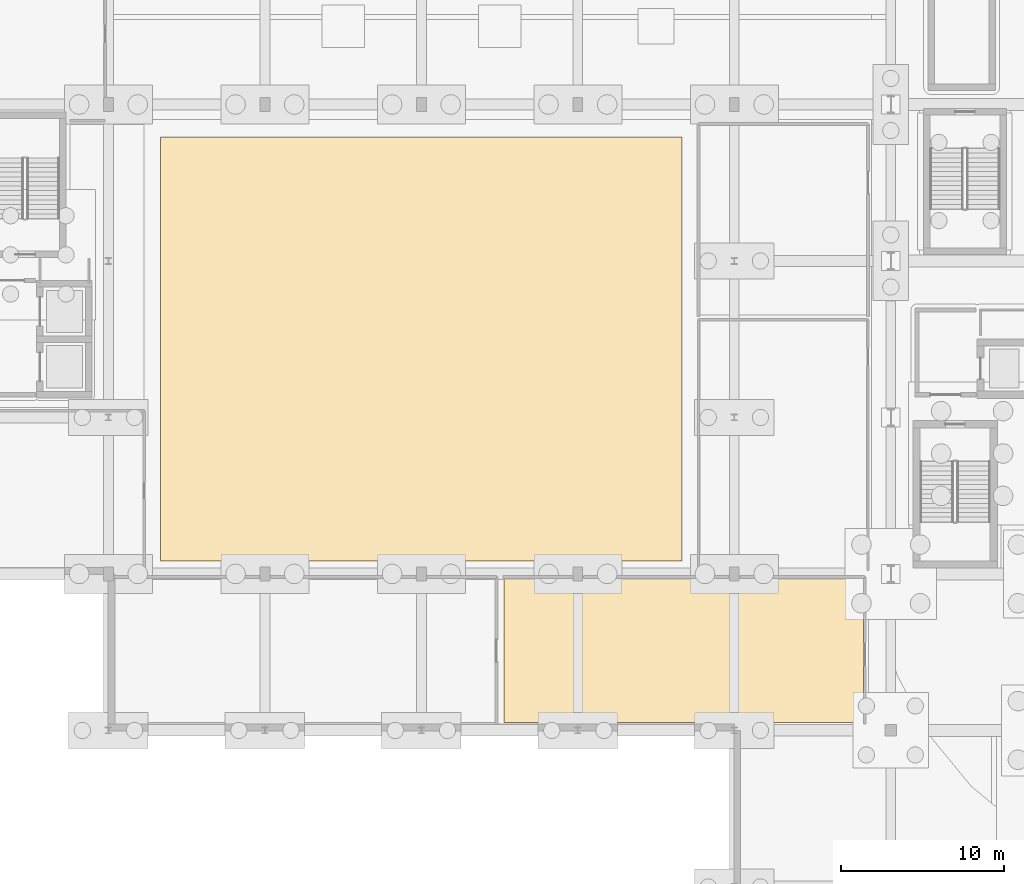
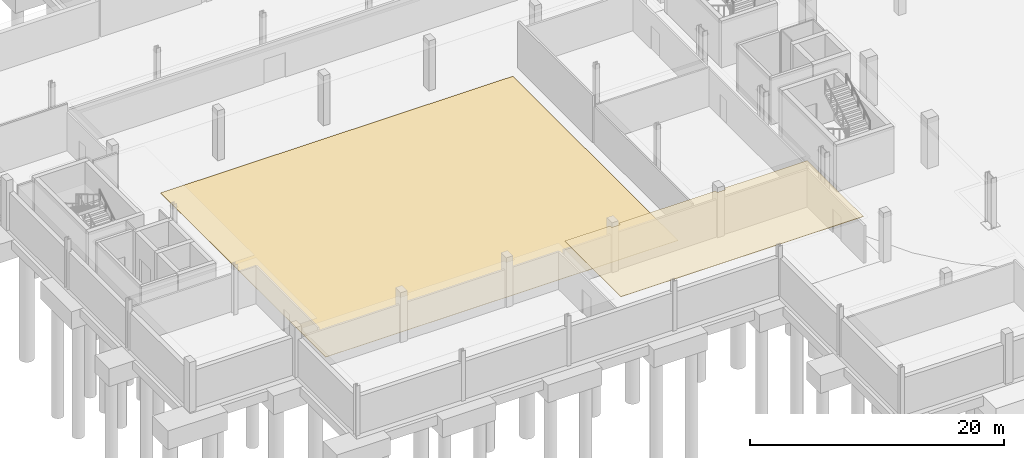
# One storey, part 41 of 67: 2 coverings.
"""IFC4 building model written with IfcOpenShell, lengths in metres."""

from ifc_helpers import new_model, si_unit, direction, frame, origin, place, context, subcontext, project, spatial, polyline, outline, extrude, material, layer, layer_set, type_object, element, save


model = new_model("IFC4")

# Units and contexts
model_context = context("Model", 3, precision=1e-05, world=origin(), true_north=direction((0.0, 1.0)))
body_context = subcontext(model_context, "Body", "Model", "MODEL_VIEW")
ifc_project = project(units=[si_unit("LENGTHUNIT", "METRE"), si_unit("AREAUNIT", "SQUARE_METRE"), si_unit("VOLUMEUNIT", "CUBIC_METRE"), si_unit("PLANEANGLEUNIT", "RADIAN"), si_unit("MASSUNIT", "GRAM", prefix="KILO")], contexts=[model_context])

# Site, building, storey
site_placement = place(None, origin())
site = spatial("IfcSite", under=ifc_project, at=site_placement, CompositionType="ELEMENT")
building_placement = place(site_placement, origin())
building = spatial("IfcBuilding", under=site, at=building_placement, Name="Caelomonte Colonnade Arena", CompositionType="ELEMENT")
storey_placement = place(building_placement, frame((0.0, 0.0, -4.800048828125)))
storey = spatial("IfcBuildingStorey", under=building, at=storey_placement, Name="B1", CompositionType="ELEMENT", Elevation=-4.800048828125)

# Coverings
ifc_material_1 = material(Name="Perforated acoustic mineral-fibre ceiling")
ifc_layer_1 = layer(ifc_material_1, 0.0400390625)
ifc_layer_set_1 = layer_set([ifc_layer_1], Name="Perforated acoustic mineral-fibre ceiling")
covering_type_1 = type_object("IfcCoveringType", Name="INT-CV-CEIL1", PredefinedType="CEILING", material=ifc_layer_set_1)
covering_1_placement = place(storey_placement, frame((0.0, 0.0, 4.420166015625)))
element("IfcCovering", 1, at=covering_1_placement, inside=storey, type_object=covering_type_1, Name="B1 Visitor Locker Room acoustic ceiling", PredefinedType="CEILING", context=body_context, shape_type="SweptSolid", body=[
    extrude(outline(polyline([(48.32275390625, 37.88037109375), (48.31494140625, 37.8798828125), (47.68505859375, 37.8798828125), (47.67724609375, 37.88037109375), (47.66943359375, 37.881591796875), (47.661865234375, 37.88330078125), (47.654296875, 37.885986328125), (47.647216796875, 37.889404296875), (47.640625, 37.8935546875), (47.63427734375, 37.898193359375), (47.62841796875, 37.9033203125), (47.623291015625, 37.9091796875), (47.618408203125, 37.91552734375), (47.614501953125, 37.92236328125), (47.611083984375, 37.929443359375), (47.6083984375, 37.936767578125), (47.6064453125, 37.9443359375), (47.60546875, 37.9521484375), (47.60498046875, 37.9599609375), (47.60498046875, 38.1201171875), (38.794921875, 38.1201171875), (38.794921875, 37.9599609375), (38.794677734375, 37.9521484375), (38.79345703125, 37.9443359375), (38.79150390625, 37.936767578125), (38.788818359375, 37.929443359375), (38.78564453125, 37.92236328125), (38.781494140625, 37.91552734375), (38.77685546875, 37.9091796875), (38.771484375, 37.9033203125), (38.765869140625, 37.898193359375), (38.759521484375, 37.8935546875), (38.752685546875, 37.889404296875), (38.74560546875, 37.885986328125), (38.73828125, 37.88330078125), (38.730712890625, 37.881591796875), (38.722900390625, 37.88037109375), (38.715087890625, 37.8798828125), (38.0849609375, 37.8798828125), (38.0771484375, 37.88037109375), (38.0693359375, 37.881591796875), (38.061767578125, 37.88330078125), (38.054443359375, 37.885986328125), (38.04736328125, 37.889404296875), (38.04052734375, 37.8935546875), (38.0341796875, 37.898193359375), (38.0283203125, 37.9033203125), (38.023193359375, 37.9091796875), (38.0185546875, 37.91552734375), (38.014404296875, 37.92236328125), (38.010986328125, 37.929443359375), (38.00830078125, 37.936767578125), (38.006591796875, 37.9443359375), (38.00537109375, 37.9521484375), (38.0048828125, 37.9599609375), (38.0048828125, 38.1201171875), (33.8798828125, 38.1201171875), (33.8798828125, 29.280029296875), (55.919921875, 29.280029296875), (55.919921875, 38.1201171875), (48.39501953125, 38.1201171875), (48.39501953125, 37.9599609375), (48.39453125, 37.9521484375), (48.3935546875, 37.9443359375), (48.3916015625, 37.936767578125), (48.388916015625, 37.929443359375), (48.385498046875, 37.92236328125), (48.381591796875, 37.91552734375), (48.376708984375, 37.9091796875), (48.37158203125, 37.9033203125), (48.36572265625, 37.898193359375), (48.359375, 37.8935546875), (48.352783203125, 37.889404296875), (48.345703125, 37.885986328125), (48.338134765625, 37.88330078125), (48.33056640625, 37.881591796875), (48.32275390625, 37.88037109375)])), origin(), (0.0, 0.0, 1.0), 0.039794921875),
])
ifc_material_2 = material(Name="Hardwood maple sports court flooring", Category="wood")
ifc_layer_2 = layer(ifc_material_2, 0.030029296875)
ifc_layer_set_2 = layer_set([ifc_layer_2], Name="Hardwood maple sports court flooring")
covering_type_2 = type_object("IfcCoveringType", Name="INT-CV-FLR1", PredefinedType="FLOORING", material=ifc_layer_set_2)
covering_2_placement = place(storey_placement, origin())
element("IfcCovering", 2, at=covering_2_placement, inside=storey, type_object=covering_type_2, Name="Warm-up practice court hardwood maple flooring", PredefinedType="FLOORING", context=body_context, shape_type="SweptSolid", body=[
    extrude(outline(polyline([(12.800048828125, 39.199951171875), (44.800048828125, 39.199951171875), (44.800048828125, 65.199951171875), (12.800048828125, 65.199951171875), (12.800048828125, 39.199951171875)])), origin(), (0.0, 0.0, 1.0), 0.030029296875),
])

save(model, "model.ifc")
